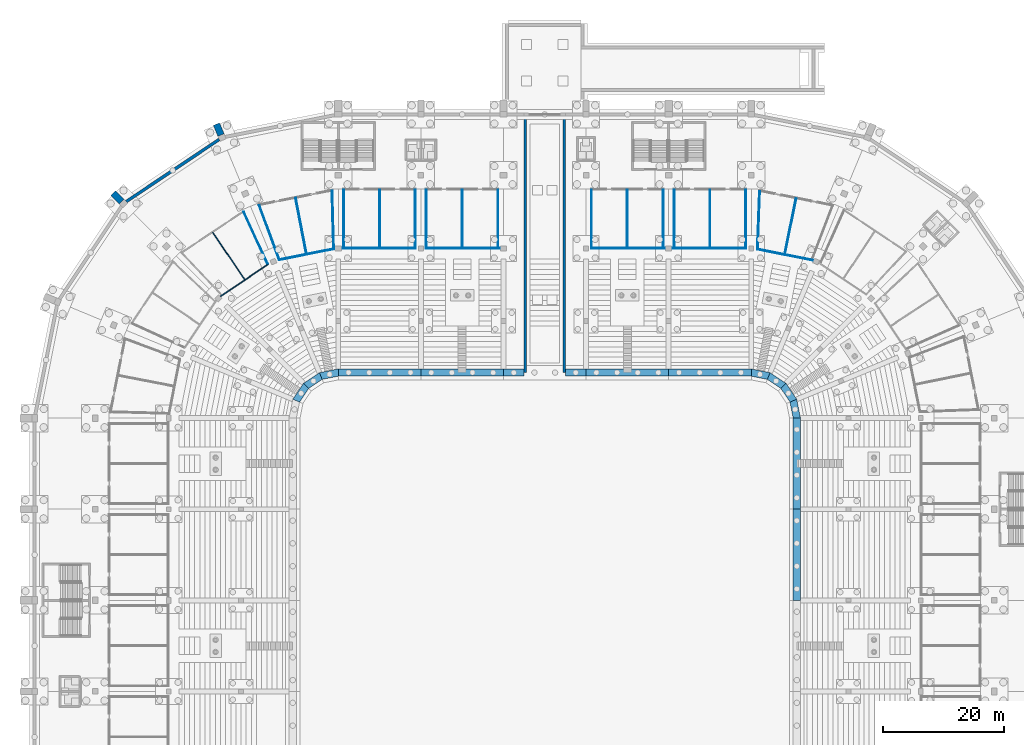
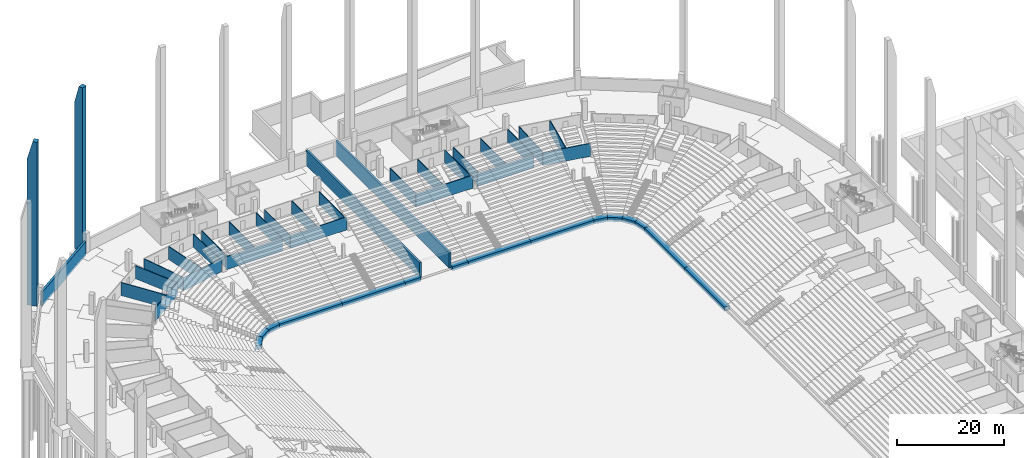
# One storey, part 35 of 115: 46 walls.
"""IFC4 building model written with IfcOpenShell, lengths in metres."""

from ifc_helpers import new_model, si_unit, direction, frame, frame_2d, origin, place, context, subcontext, project, spatial, polyline, rectangle, outline, extrude, material, layer, layer_set, type_object, element, save


model = new_model("IFC4")

# Units and contexts
model_context = context("Model", 3, precision=1e-05, world=origin(), true_north=direction((0.0, 1.0)))
body_context = subcontext(model_context, "Body", "Model", "MODEL_VIEW")
ifc_project = project(units=[si_unit("LENGTHUNIT", "METRE"), si_unit("AREAUNIT", "SQUARE_METRE"), si_unit("VOLUMEUNIT", "CUBIC_METRE"), si_unit("PLANEANGLEUNIT", "RADIAN"), si_unit("MASSUNIT", "GRAM", prefix="KILO")], contexts=[model_context])

# Site, building, storey
site_placement = place(None, origin())
site = spatial("IfcSite", under=ifc_project, at=site_placement, CompositionType="ELEMENT")
building_placement = place(site_placement, origin())
building = spatial("IfcBuilding", under=site, at=building_placement, Name="Ogive Plaza Stadium", CompositionType="ELEMENT")
storey_placement = place(building_placement, frame((0.0, 0.0, -4.5)))
storey = spatial("IfcBuildingStorey", under=building, at=storey_placement, Name="B1", CompositionType="ELEMENT", Elevation=-4.5)

# Walls
ifc_material_1 = material(Name="Masonry blockwork", Category="masonry")
ifc_layer_1 = layer(ifc_material_1, 0.14990234375)
ifc_layer_set_1 = layer_set([ifc_layer_1], Name="Blockwork wall 150")
wall_type_1 = type_object("IfcWallType", Name="Blockwork wall 150", PredefinedType="SOLIDWALL", material=ifc_layer_set_1)
wall_1_placement = place(storey_placement, frame((-34.5, 80.400634765625, 0.0), z_axis=(0.0, 0.0, 1.0), x_axis=(-0.980785277375, -0.195090337241, 0.0)))
element("IfcWall", 1, at=wall_1_placement, inside=storey, type_object=wall_type_1, Name="Wall B1 B31", PredefinedType="SOLIDWALL", context=body_context, shape_type="SweptSolid", body=[
    extrude(rectangle(XDim=9.429443359375, YDim=0.14990234375, at=frame_2d((4.71484375, 0.0))), origin(), (0.0, 0.0, 1.0), 3.0),
])
wall_2_placement = place(storey_placement, frame((-34.75439453125, 80.425048828125, 0.0), z_axis=(0.0, 0.0, 1.0), x_axis=(-0.027003283405, 0.999635344856, 0.0)))
element("IfcWall", 2, at=wall_2_placement, inside=storey, type_object=wall_type_1, Name="Wall B1 B31", PredefinedType="SOLIDWALL", context=body_context, shape_type="SweptSolid", body=[
    extrude(rectangle(XDim=9.502197265625, YDim=0.14990234375, at=frame_2d((4.7509765625, 0.0))), origin(), (0.0, 0.0, 1.0), 3.0),
])
wall_3_placement = place(storey_placement, frame((-39.23291015625, 79.5341796875, 0.0), z_axis=(0.0, 0.0, 1.0), x_axis=(-0.190042167924, 0.98177592882, 0.0)))
element("IfcWall", 3, at=wall_3_placement, inside=storey, type_object=wall_type_1, Name="Wall B1 B31", PredefinedType="SOLIDWALL", context=body_context, shape_type="SweptSolid", body=[
    extrude(rectangle(XDim=9.366455078125, YDim=0.14990234375, at=frame_2d((4.68310546875, 0.0))), origin(), (0.0, 0.0, 1.0), 3.0),
])
wall_4_placement = place(storey_placement, frame((-43.71142578125, 78.643310546875, 0.0), z_axis=(0.0, 0.0, 1.0), x_axis=(-0.348225298515, 0.937410871216, 0.0)))
element("IfcWall", 4, at=wall_4_placement, inside=storey, type_object=wall_type_1, Name="Wall B1 B31", PredefinedType="SOLIDWALL", context=body_context, shape_type="SweptSolid", body=[
    extrude(rectangle(XDim=9.486572265625, YDim=0.14990234375, at=frame_2d((4.7431640625, 0.0))), origin(), (0.0, 0.0, 1.0), 3.0),
])
wall_5_placement = place(storey_placement, frame((-33.5, 80.5, 0.0), z_axis=(0.0, 0.0, 1.0), x_axis=(1.0, 0.0, 0.0)))
element("IfcWall", 5, at=wall_5_placement, inside=storey, type_object=wall_type_1, Name="Wall B1 B32", PredefinedType="SOLIDWALL", context=body_context, shape_type="SweptSolid", body=[
    extrude(rectangle(XDim=12.27490234375, YDim=0.14990234375, at=frame_2d((6.137451171875, 0.0))), origin(), (0.0, 0.0, 1.0), 3.0),
])
for number, where, z_axis, x_axis, name in (
    (6, (-33.10009765625, 80.574951171875, 0.0), (0.0, 0.0, 1.0), (0.0, 1.0, 0.0), "Wall B1 B32"),
    (7, (-27.199951171875, 80.574951171875, 0.0), (0.0, 0.0, 1.0), (0.0, 1.0, 0.0), "Wall B1 B32"),
    (8, (-21.300048828125, 80.574951171875, 0.0), (0.0, 0.0, 1.0), (0.0, 1.0, 0.0), "Wall B1 B32"),
):
    element("IfcWall", number, at=place(storey_placement, frame(where, z_axis=z_axis, x_axis=x_axis)), inside=storey, type_object=wall_type_1, Name=name, PredefinedType="SOLIDWALL", context=body_context, shape_type="SweptSolid", body=[
        extrude(rectangle(XDim=9.550048828125, YDim=0.14990234375, at=frame_2d((4.77490234375, 0.0))), origin(), (0.0, 0.0, 1.0), 3.0),
    ])
wall_6_placement = place(storey_placement, frame((-7.300048828125, 80.5, 0.0), z_axis=(0.0, 0.0, 1.0), x_axis=(-1.0, 0.0, 0.0)))
element("IfcWall", 9, at=wall_6_placement, inside=storey, type_object=wall_type_1, Name="Wall B1 B33", PredefinedType="SOLIDWALL", context=body_context, shape_type="SweptSolid", body=[
    extrude(rectangle(XDim=12.27490234375, YDim=0.14990234375, at=frame_2d((6.137451171875, 0.0))), origin(), (0.0, 0.0, 1.0), 3.0),
])
for number, where, z_axis, x_axis, name in (
    (10, (-7.699951171875, 80.574951171875, 0.0), (0.0, 0.0, 1.0), (0.0, 1.0, 0.0), "Wall B1 B33"),
    (11, (-13.60009765625, 80.574951171875, 0.0), (0.0, 0.0, 1.0), (0.0, 1.0, 0.0), "Wall B1 B33"),
    (12, (-19.5, 80.574951171875, 0.0), (0.0, 0.0, 1.0), (0.0, 1.0, 0.0), "Wall B1 B33"),
):
    element("IfcWall", number, at=place(storey_placement, frame(where, z_axis=z_axis, x_axis=x_axis)), inside=storey, type_object=wall_type_1, Name=name, PredefinedType="SOLIDWALL", context=body_context, shape_type="SweptSolid", body=[
        extrude(rectangle(XDim=9.550048828125, YDim=0.14990234375, at=frame_2d((4.77490234375, 0.0))), origin(), (0.0, 0.0, 1.0), 3.0),
    ])
wall_7_placement = place(storey_placement, frame((19.89990234375, 80.5, 0.0), z_axis=(0.0, 0.0, 1.0), x_axis=(-1.0, 0.0, 0.0)))
element("IfcWall", 13, at=wall_7_placement, inside=storey, type_object=wall_type_1, Name="Wall B1 B35", PredefinedType="SOLIDWALL", context=body_context, shape_type="SweptSolid", body=[
    extrude(rectangle(XDim=12.27490234375, YDim=0.14990234375, at=frame_2d((6.137451171875, 0.0))), origin(), (0.0, 0.0, 1.0), 3.0),
])
for number, where, z_axis, x_axis, name in (
    (14, (19.5, 80.574951171875, 0.0), (0.0, 0.0, 1.0), (0.0, 1.0, 0.0), "Wall B1 B35"),
    (15, (13.60009765625, 80.574951171875, 0.0), (0.0, 0.0, 1.0), (0.0, 1.0, 0.0), "Wall B1 B35"),
    (16, (7.699951171875, 80.574951171875, 0.0), (0.0, 0.0, 1.0), (0.0, 1.0, 0.0), "Wall B1 B35"),
):
    element("IfcWall", number, at=place(storey_placement, frame(where, z_axis=z_axis, x_axis=x_axis)), inside=storey, type_object=wall_type_1, Name=name, PredefinedType="SOLIDWALL", context=body_context, shape_type="SweptSolid", body=[
        extrude(rectangle(XDim=9.550048828125, YDim=0.14990234375, at=frame_2d((4.77490234375, 0.0))), origin(), (0.0, 0.0, 1.0), 3.0),
    ])
wall_8_placement = place(storey_placement, frame((20.89990234375, 80.5, 0.0), z_axis=(0.0, 0.0, 1.0), x_axis=(1.0, 0.0, 0.0)))
element("IfcWall", 17, at=wall_8_placement, inside=storey, type_object=wall_type_1, Name="Wall B1 B36", PredefinedType="SOLIDWALL", context=body_context, shape_type="SweptSolid", body=[
    extrude(rectangle(XDim=12.275146484375, YDim=0.14990234375, at=frame_2d((6.1376953125, 0.0))), origin(), (0.0, 0.0, 1.0), 3.0),
])
for number, where, z_axis, x_axis, name in (
    (18, (21.300048828125, 80.574951171875, 0.0), (0.0, 0.0, 1.0), (0.0, 1.0, 0.0), "Wall B1 B36"),
    (19, (27.199951171875, 80.574951171875, 0.0), (0.0, 0.0, 1.0), (0.0, 1.0, 0.0), "Wall B1 B36"),
    (20, (33.10009765625, 80.574951171875, 0.0), (0.0, 0.0, 1.0), (0.0, 1.0, 0.0), "Wall B1 B36"),
):
    element("IfcWall", number, at=place(storey_placement, frame(where, z_axis=z_axis, x_axis=x_axis)), inside=storey, type_object=wall_type_1, Name=name, PredefinedType="SOLIDWALL", context=body_context, shape_type="SweptSolid", body=[
        extrude(rectangle(XDim=9.550048828125, YDim=0.14990234375, at=frame_2d((4.77490234375, 0.0))), origin(), (0.0, 0.0, 1.0), 3.0),
    ])
wall_9_placement = place(storey_placement, frame((44.26513671875, 78.458251953125, 0.0), z_axis=(0.0, 0.0, 1.0), x_axis=(-0.980788126016, 0.195076015612, 0.0)))
element("IfcWall", 21, at=wall_9_placement, inside=storey, type_object=wall_type_1, Name="Wall B1 B37", PredefinedType="SOLIDWALL", context=body_context, shape_type="SweptSolid", body=[
    extrude(rectangle(XDim=9.480224609375, YDim=0.14990234375, at=frame_2d((4.740234375, 0.0))), origin(), (0.0, 0.0, 1.0), 3.0),
])
wall_10_placement = place(storey_placement, frame((39.510986328125, 79.478759765625, 0.0), z_axis=(0.0, 0.0, 1.0), x_axis=(0.200124442675, 0.979770487126, 0.0)))
element("IfcWall", 22, at=wall_10_placement, inside=storey, type_object=wall_type_1, Name="Wall B1 B37", PredefinedType="SOLIDWALL", context=body_context, shape_type="SweptSolid", body=[
    extrude(rectangle(XDim=9.36669921875, YDim=0.14990234375, at=frame_2d((4.683349609375, 0.0))), origin(), (0.0, 0.0, 1.0), 3.0),
])
wall_11_placement = place(storey_placement, frame((35.032470703125, 80.36962890625, 0.0), z_axis=(0.0, 0.0, 1.0), x_axis=(0.037006901301, 0.999315010022, 0.0)))
element("IfcWall", 23, at=wall_11_placement, inside=storey, type_object=wall_type_1, Name="Wall B1 B37", PredefinedType="SOLIDWALL", context=body_context, shape_type="SweptSolid", body=[
    extrude(rectangle(XDim=9.48681640625, YDim=0.14990234375, at=frame_2d((4.743408203125, 0.0))), origin(), (0.0, 0.0, 1.0), 3.0),
])
ifc_material_2 = material(Name="Concrete C45/55 precast", Category="concrete")
ifc_layer_2 = layer(ifc_material_2, 1.050048828125)
ifc_material_3 = material(Name="Cast stone (reconstituted limestone)", Category="masonry")
ifc_layer_3 = layer(ifc_material_3, 0.050048828125)
ifc_layer_set_2 = layer_set([ifc_layer_2, ifc_layer_3], Name="Concrete C45/55 precast, cast stone facing")
wall_type_2 = type_object("IfcWallType", Name="Buttress pier 1100", PredefinedType="SOLIDWALL", material=ifc_layer_set_2)
wall_12_placement = place(storey_placement, frame((-69.673583984375, 88.173583984375, 0.0), z_axis=(0.0, 0.0, 1.0), x_axis=(-0.707106781187, 0.707106781187, 0.0)))
element("IfcWall", 24, at=wall_12_placement, inside=storey, type_object=wall_type_2, Name="BUTTRESS PIER R30", PredefinedType="SOLIDWALL", context=body_context, shape_type="SweptSolid", body=[
    extrude(outline(polyline([(0.0, 0.0), (1.949951171875, 0.0), (1.949951171875, 33.5), (0.89990234375, 37.5), (0.0, 37.5), (0.0, 0.0)])), frame((0.0, 0.550048828125, 0.0), z_axis=(0.0, -1.0, 0.0), x_axis=(1.0, 0.0, 0.0)), (0.0, 0.0, 1.0), 1.10009765625),
])
wall_13_placement = place(storey_placement, frame((-53.306396484375, 99.109619140625, 0.0), z_axis=(0.0, 0.0, 1.0), x_axis=(-0.38258767561, 0.923919190445, 0.0)))
element("IfcWall", 25, at=wall_13_placement, inside=storey, type_object=wall_type_2, Name="BUTTRESS PIER R31", PredefinedType="SOLIDWALL", context=body_context, shape_type="SweptSolid", body=[
    extrude(outline(polyline([(0.0, 0.0), (1.9501953125, 0.0), (1.949951171875, 33.5), (0.89990234375, 37.5), (0.0, 37.5), (0.0, 0.0)])), frame((0.0, 0.550048828125, 0.0), z_axis=(0.0, -1.0, 0.0), x_axis=(1.0, 0.0, 0.0)), (0.0, 0.0, 1.0), 1.10009765625),
])
ifc_material_4 = material(Name="Gypsum board partition", Category="gypsum")
ifc_layer_4 = layer(ifc_material_4, 0.14990234375)
ifc_layer_set_3 = layer_set([ifc_layer_4], Name="Partition 150")
wall_type_3 = type_object("IfcWallType", Name="Partition 150", PredefinedType="PARTITIONING", material=ifc_layer_set_3)
wall_14_placement = place(storey_placement, frame((-53.41748046875, 72.553955078125, 0.0), z_axis=(0.0, 0.0, 1.0), x_axis=(0.831475366226, 0.555561621569, 0.0)))
element("IfcWall", 26, at=wall_14_placement, inside=storey, type_object=wall_type_3, Name="Wall B1 B30", PredefinedType="PARTITIONING", context=body_context, shape_type="SweptSolid", body=[
    extrude(rectangle(XDim=9.480224609375, YDim=0.14990234375, at=frame_2d((4.740234375, 0.0))), origin(), (0.0, 0.0, 1.0), 3.0),
])
wall_15_placement = place(storey_placement, frame((-49.415771484375, 75.316162109375, 0.0), z_axis=(0.0, 0.0, 1.0), x_axis=(-0.5598443527, 0.828597791905, 0.0)))
element("IfcWall", 27, at=wall_15_placement, inside=storey, type_object=wall_type_3, Name="Wall B1 B30", PredefinedType="PARTITIONING", context=body_context, shape_type="SweptSolid", body=[
    extrude(rectangle(XDim=9.36669921875, YDim=0.14990234375, at=frame_2d((4.683349609375, 0.0))), origin(), (0.0, 0.0, 1.0), 3.0),
])
wall_16_placement = place(storey_placement, frame((-45.619140625, 77.85302734375, 0.0), z_axis=(0.0, 0.0, 1.0), x_axis=(-0.416598882755, 0.909090408533, 0.0)))
element("IfcWall", 28, at=wall_16_placement, inside=storey, type_object=wall_type_3, Name="Wall B1 B30", PredefinedType="PARTITIONING", context=body_context, shape_type="SweptSolid", body=[
    extrude(rectangle(XDim=9.48681640625, YDim=0.14990234375, at=frame_2d((4.743408203125, 0.0))), origin(), (0.0, 0.0, 1.0), 3.0),
])
ifc_material_5 = material(Name="Concrete C40/50", Category="concrete")
ifc_layer_5 = layer(ifc_material_5, 1.199951171875)
ifc_layer_set_4 = layer_set([ifc_layer_5], Name="Concrete C40/50")
wall_type_4 = type_object("IfcWallType", Name="RC front wall 1200", PredefinedType="SOLIDWALL", material=ifc_layer_set_4)
wall_17_placement = place(storey_placement, frame((0.0, 0.0, -0.39990234375)))
element("IfcWall", 29, at=wall_17_placement, inside=storey, type_object=wall_type_4, Name="Front wall B01", PredefinedType="SOLIDWALL", context=body_context, shape_type="SweptSolid", body=[
    extrude(outline(polyline([(40.89990234375, 37.5), (42.10009765625, 37.5), (42.10009765625, 52.5), (40.89990234375, 52.5), (40.89990234375, 37.5)])), origin(), (0.0, 0.0, 1.0), 0.949951171875),
])
wall_18_placement = place(storey_placement, frame((0.0, 0.0, -0.39990234375)))
element("IfcWall", 30, at=wall_18_placement, inside=storey, type_object=wall_type_4, Name="Front wall B02", PredefinedType="SOLIDWALL", context=body_context, shape_type="SweptSolid", body=[
    extrude(outline(polyline([(40.89990234375, 22.5), (42.10009765625, 22.5), (42.10009765625, 37.5), (40.89990234375, 37.5), (40.89990234375, 22.5)])), origin(), (0.0, 0.0, 1.0), 0.949951171875),
])
wall_19_placement = place(storey_placement, frame((0.0, 0.0, -0.39990234375)))
element("IfcWall", 31, at=wall_19_placement, inside=storey, type_object=wall_type_4, Name="Front wall B29", PredefinedType="SOLIDWALL", context=body_context, shape_type="SweptSolid", body=[
    extrude(outline(polyline([(-38.879150390625, 57.379150390625), (-39.7275390625, 58.2275390625), (-41.4833984375, 55.599853515625), (-40.374755859375, 55.140625), (-38.879150390625, 57.379150390625)])), origin(), (0.0, 0.0, 1.0), 0.949951171875),
])
wall_20_placement = place(storey_placement, frame((0.0, 0.0, -0.39990234375)))
element("IfcWall", 32, at=wall_20_placement, inside=storey, type_object=wall_type_4, Name="Front wall B30", PredefinedType="SOLIDWALL", context=body_context, shape_type="SweptSolid", body=[
    extrude(outline(polyline([(-36.640625, 58.874755859375), (-37.099853515625, 59.9833984375), (-39.7275390625, 58.2275390625), (-38.879150390625, 57.379150390625), (-36.640625, 58.874755859375)])), origin(), (0.0, 0.0, 1.0), 0.949951171875),
])
wall_21_placement = place(storey_placement, frame((0.0, 0.0, -0.39990234375)))
element("IfcWall", 33, at=wall_21_placement, inside=storey, type_object=wall_type_4, Name="Front wall B31", PredefinedType="SOLIDWALL", context=body_context, shape_type="SweptSolid", body=[
    extrude(outline(polyline([(-34.0, 59.39990234375), (-34.0, 60.60009765625), (-37.099853515625, 59.9833984375), (-36.640625, 58.874755859375), (-34.0, 59.39990234375)])), origin(), (0.0, 0.0, 1.0), 0.949951171875),
])
wall_22_placement = place(storey_placement, frame((0.0, 0.0, -0.39990234375)))
element("IfcWall", 34, at=wall_22_placement, inside=storey, type_object=wall_type_4, Name="Front wall B32", PredefinedType="SOLIDWALL", context=body_context, shape_type="SweptSolid", body=[
    extrude(outline(polyline([(-20.39990234375, 59.39990234375), (-20.39990234375, 60.60009765625), (-34.0, 60.60009765625), (-34.0, 59.39990234375), (-20.39990234375, 59.39990234375)])), origin(), (0.0, 0.0, 1.0), 0.949951171875),
])
wall_23_placement = place(storey_placement, frame((0.0, 0.0, -0.39990234375)))
element("IfcWall", 35, at=wall_23_placement, inside=storey, type_object=wall_type_4, Name="Front wall B33", PredefinedType="SOLIDWALL", context=body_context, shape_type="SweptSolid", body=[
    extrude(outline(polyline([(-6.800048828125, 59.39990234375), (-6.800048828125, 60.60009765625), (-20.39990234375, 60.60009765625), (-20.39990234375, 59.39990234375), (-6.800048828125, 59.39990234375)])), origin(), (0.0, 0.0, 1.0), 0.949951171875),
])
wall_24_placement = place(storey_placement, frame((0.0, 0.0, -0.39990234375)))
element("IfcWall", 36, at=wall_24_placement, inside=storey, type_object=wall_type_4, Name="Front wall B34.1", PredefinedType="SOLIDWALL", context=body_context, shape_type="SweptSolid", body=[
    extrude(outline(polyline([(-3.39990234375, 59.39990234375), (-3.39990234375, 60.60009765625), (-6.800048828125, 60.60009765625), (-6.800048828125, 59.39990234375), (-3.39990234375, 59.39990234375)])), origin(), (0.0, 0.0, 1.0), 0.949951171875),
])
wall_25_placement = place(storey_placement, frame((0.0, 0.0, -0.39990234375)))
element("IfcWall", 37, at=wall_25_placement, inside=storey, type_object=wall_type_4, Name="Front wall B34.2", PredefinedType="SOLIDWALL", context=body_context, shape_type="SweptSolid", body=[
    extrude(outline(polyline([(3.39990234375, 60.60009765625), (3.39990234375, 59.39990234375), (6.800048828125, 59.39990234375), (6.800048828125, 60.60009765625), (3.39990234375, 60.60009765625)])), origin(), (0.0, 0.0, 1.0), 0.949951171875),
])
wall_26_placement = place(storey_placement, frame((0.0, 0.0, -0.39990234375)))
element("IfcWall", 38, at=wall_26_placement, inside=storey, type_object=wall_type_4, Name="Front wall B35", PredefinedType="SOLIDWALL", context=body_context, shape_type="SweptSolid", body=[
    extrude(outline(polyline([(20.39990234375, 59.39990234375), (20.39990234375, 60.60009765625), (6.800048828125, 60.60009765625), (6.800048828125, 59.39990234375), (20.39990234375, 59.39990234375)])), origin(), (0.0, 0.0, 1.0), 0.949951171875),
])
wall_27_placement = place(storey_placement, frame((0.0, 0.0, -0.39990234375)))
element("IfcWall", 39, at=wall_27_placement, inside=storey, type_object=wall_type_4, Name="Front wall B36", PredefinedType="SOLIDWALL", context=body_context, shape_type="SweptSolid", body=[
    extrude(outline(polyline([(34.0, 59.39990234375), (34.0, 60.60009765625), (20.39990234375, 60.60009765625), (20.39990234375, 59.39990234375), (34.0, 59.39990234375)])), origin(), (0.0, 0.0, 1.0), 0.949951171875),
])
wall_28_placement = place(storey_placement, frame((0.0, 0.0, -0.39990234375)))
element("IfcWall", 40, at=wall_28_placement, inside=storey, type_object=wall_type_4, Name="Front wall B37", PredefinedType="SOLIDWALL", context=body_context, shape_type="SweptSolid", body=[
    extrude(outline(polyline([(36.640625, 58.874755859375), (37.099853515625, 59.9833984375), (34.0, 60.60009765625), (34.0, 59.39990234375), (36.640625, 58.874755859375)])), origin(), (0.0, 0.0, 1.0), 0.949951171875),
])
wall_29_placement = place(storey_placement, frame((0.0, 0.0, -0.39990234375)))
element("IfcWall", 41, at=wall_29_placement, inside=storey, type_object=wall_type_4, Name="Front wall B38", PredefinedType="SOLIDWALL", context=body_context, shape_type="SweptSolid", body=[
    extrude(outline(polyline([(38.879150390625, 57.379150390625), (39.7275390625, 58.2275390625), (37.099853515625, 59.9833984375), (36.640625, 58.874755859375), (38.879150390625, 57.379150390625)])), origin(), (0.0, 0.0, 1.0), 0.949951171875),
])
wall_30_placement = place(storey_placement, frame((0.0, 0.0, -0.39990234375)))
element("IfcWall", 42, at=wall_30_placement, inside=storey, type_object=wall_type_4, Name="Front wall B39", PredefinedType="SOLIDWALL", context=body_context, shape_type="SweptSolid", body=[
    extrude(outline(polyline([(40.374755859375, 55.140625), (41.4833984375, 55.599853515625), (39.7275390625, 58.2275390625), (38.879150390625, 57.379150390625), (40.374755859375, 55.140625)])), origin(), (0.0, 0.0, 1.0), 0.949951171875),
])
wall_31_placement = place(storey_placement, frame((0.0, 0.0, -0.39990234375)))
element("IfcWall", 43, at=wall_31_placement, inside=storey, type_object=wall_type_4, Name="Front wall B40", PredefinedType="SOLIDWALL", context=body_context, shape_type="SweptSolid", body=[
    extrude(outline(polyline([(40.89990234375, 52.5), (42.10009765625, 52.5), (41.4833984375, 55.599853515625), (40.374755859375, 55.140625), (40.89990234375, 52.5)])), origin(), (0.0, 0.0, 1.0), 0.949951171875),
])
ifc_material_6 = material(Name="Concrete C40/50", Category="concrete")
ifc_layer_6 = layer(ifc_material_6, 0.5)
ifc_layer_set_5 = layer_set([ifc_layer_6], Name="Concrete C40/50")
wall_type_5 = type_object("IfcWallType", Name="RC retaining wall 500 A", PredefinedType="SOLIDWALL", material=ifc_layer_set_5)
wall_32_placement = place(storey_placement, frame((0.0, 0.0, -0.39990234375)))
element("IfcWall", 44, at=wall_32_placement, inside=storey, type_object=wall_type_5, Name="Retaining wall B30", PredefinedType="SOLIDWALL", context=body_context, shape_type="SweptSolid", body=[
    extrude(outline(polyline([(-53.5048828125, 98.1513671875), (-53.696044921875, 98.61328125), (-69.06591796875, 88.34375), (-68.71240234375, 87.989990234375), (-53.5048828125, 98.1513671875)])), origin(), (0.0, 0.0, 1.0), 3.18994140625),
])
ifc_material_7 = material(Name="Concrete C35/45", Category="concrete")
ifc_layer_7 = layer(ifc_material_7, 0.39990234375)
ifc_layer_set_6 = layer_set([ifc_layer_7], Name="Concrete C35/45")
wall_type_6 = type_object("IfcWallType", Name="Tunnel wall 400", PredefinedType="STANDARD", material=ifc_layer_set_6)
for number, where, z_axis, x_axis, name in (
    (45, (-3.199951171875, 60.0, 0.0), (0.0, 0.0, 1.0), (0.0, 1.0, 0.0), "Pitch access tunnel wall 1"),
    (46, (3.199951171875, 60.0, 0.0), (0.0, 0.0, 1.0), (0.0, 1.0, 0.0), "Pitch access tunnel wall 2"),
):
    element("IfcWall", number, at=place(storey_placement, frame(where, z_axis=z_axis, x_axis=x_axis)), inside=storey, type_object=wall_type_6, Name=name, PredefinedType="STANDARD", context=body_context, shape_type="SweptSolid", body=[
        extrude(rectangle(XDim=42.5, YDim=0.39990234375, at=frame_2d((21.25, 0.0))), origin(), (0.0, 0.0, 1.0), 3.5),
    ])

save(model, "model.ifc")
